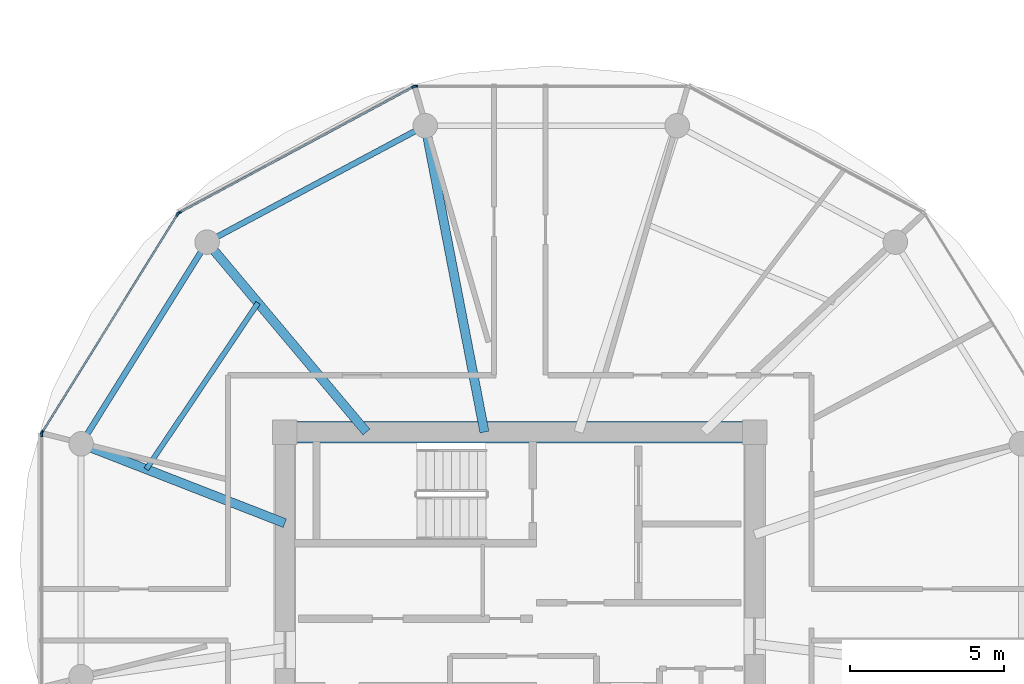
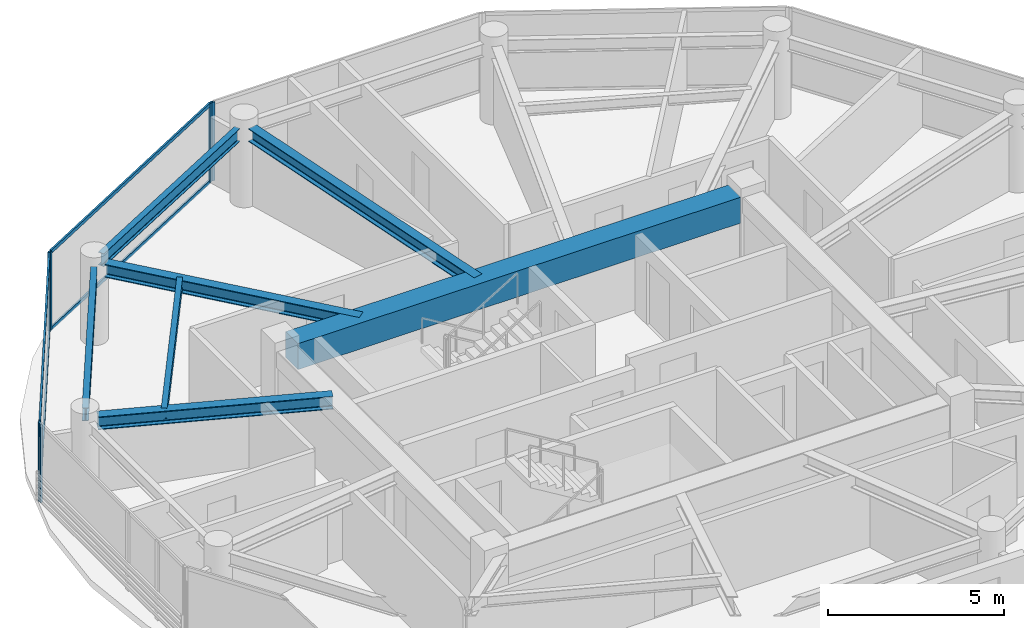
# One storey, part 4 of 22: 10 members, 7 beams, 4 elements without a shape of their own.
"""IFC4 building model written with IfcOpenShell, lengths in metres."""

from ifc_helpers import new_model, si_unit, direction, frame, origin, origin_2d, place, context, subcontext, project, spatial, rectangle, i_section, extrude, source, transform, mapped, material, layer, layer_set, material_profile, profile_set, type_object, type_shapes, element, aggregate, save


model = new_model("IFC4")

# Units and contexts
model_context = context("Model", 3, precision=1e-05, world=origin(), true_north=direction((0.0, 1.0)))
body_context = subcontext(model_context, "Body", "Model", "MODEL_VIEW")
ifc_project = project(units=[si_unit("LENGTHUNIT", "METRE"), si_unit("AREAUNIT", "SQUARE_METRE"), si_unit("VOLUMEUNIT", "CUBIC_METRE"), si_unit("PLANEANGLEUNIT", "RADIAN"), si_unit("MASSUNIT", "GRAM", prefix="KILO")], contexts=[model_context])

# Site, building, storey
site_placement = place(None, origin())
site = spatial("IfcSite", under=ifc_project, at=site_placement, CompositionType="ELEMENT")
building_placement = place(site_placement, origin())
building = spatial("IfcBuilding", under=site, at=building_placement, Name="Norrkilde Senior Care Towers", CompositionType="ELEMENT")
storey_placement = place(building_placement, frame((0.0, 0.0, 183.10009765625)))
storey = spatial("IfcBuildingStorey", under=building, at=storey_placement, Name="L57", CompositionType="ELEMENT", Elevation=183.10009765625)

# Beams
ifc_material_1 = material(Name="Concrete C60/75", Category="concrete")
ifc_material_profile_1 = material_profile(ifc_material_1, rectangle(XDim=0.699951171875, YDim=0.89990234375, at=origin_2d()), Name="RC BM 700x900")
ifc_profile_set_1 = profile_set([ifc_material_profile_1], Name="Concrete C60/75")
beam_type_1 = type_object("IfcBeamType", Name="Core Coupling Girder 700x900", PredefinedType="USERDEFINED", material=ifc_profile_set_1)
shared_shape_1 = source(origin(), body_context, "Body", "SweptSolid", [
    extrude(rectangle(XDim=0.699951171875, YDim=0.89990234375, at=origin_2d()), origin(), (0.0, 0.0, 1.0), 14.5400390625),
])
type_shapes(beam_type_1, [shared_shape_1])
beam_1_placement = place(storey_placement, frame((-35.27001953125, 5.949951171875, 2.27978515625), z_axis=(1.0, 0.0, 0.0), x_axis=(0.0, 1.0, 0.0)))
element("IfcBeam", 1, at=beam_1_placement, inside=storey, type_object=beam_type_1, Name="L57 Core W N Coupling Girder", ObjectType="GIRDER", PredefinedType="USERDEFINED", context=body_context, shape_type="MappedRepresentation", body=[
    mapped(shared_shape_1, transform((0.0, 0.0, 0.0), x_axis=(1.0, 0.0, 0.0), y_axis=(0.0, 1.0, 0.0), z_axis=(0.0, 0.0, 1.0), scale=1.0)),
])
ifc_material_2 = material(Name="Steel S355", Category="steel")
ifc_material_profile_2 = material_profile(ifc_material_2, i_section(OverallWidth=0.18994140625, OverallDepth=0.449951171875, WebThickness=0.009521484375, FlangeThickness=0.0146484375, FilletRadius=0.02099609375, at=origin_2d()), Name="IPE 450")
ifc_profile_set_2 = profile_set([ifc_material_profile_2], Name="Steel S355")
beam_type_2 = type_object("IfcBeamType", Name="Perimeter Ring Spandrel Z3 IPE450", PredefinedType="SPANDREL", material=ifc_profile_set_2)
shared_shape_2 = source(origin(), body_context, "Body", "SweptSolid", [
    extrude(i_section(OverallWidth=0.18994140625, OverallDepth=0.449951171875, WebThickness=0.009521484375, FlangeThickness=0.0146484375, FilletRadius=0.02099609375, at=origin_2d()), origin(), (0.0, 0.0, 1.0), 7.0234375),
])
beam_2_placement = place(storey_placement, frame((-38.373291015625, 11.8291015625, 2.5048828125), z_axis=(-0.529789577822, -0.848129119433, 0.0), x_axis=(0.848129119433, -0.529789577822, 0.0)))
element("IfcBeam", 2, at=beam_2_placement, inside=storey, type_object=beam_type_2, Name="L57 Drum W Perimeter Spandrel 05", PredefinedType="SPANDREL", context=body_context, shape_type="MappedRepresentation", body=[
    mapped(shared_shape_2, transform((0.0, 0.0, 0.0), x_axis=(1.0, 0.0, 0.0), y_axis=(0.0, 1.0, 0.0), z_axis=(0.0, 0.0, 1.0), scale=1.0)),
])
shared_shape_3 = source(origin(), body_context, "Body", "SweptSolid", [
    extrude(i_section(OverallWidth=0.18994140625, OverallDepth=0.449951171875, WebThickness=0.009521484375, FlangeThickness=0.0146484375, FilletRadius=0.02099609375, at=origin_2d()), origin(), (0.0, 0.0, 1.0), 7.333740234375),
])
type_shapes(beam_type_2, [shared_shape_2, shared_shape_3])
beam_3_placement = place(storey_placement, frame((-31.394775390625, 15.756591796875, 2.5048828125), z_axis=(-0.882247866069, -0.470785198172, 0.0), x_axis=(0.470785198172, -0.882247866069, 0.0)))
element("IfcBeam", 3, at=beam_3_placement, inside=storey, type_object=beam_type_2, Name="L57 Drum W Perimeter Spandrel 04", PredefinedType="SPANDREL", context=body_context, shape_type="MappedRepresentation", body=[
    mapped(shared_shape_3, transform((0.0, 0.0, 0.0), x_axis=(1.0, 0.0, 0.0), y_axis=(0.0, 1.0, 0.0), z_axis=(0.0, 0.0, 1.0), scale=1.0)),
])
ifc_material_profile_3 = material_profile(ifc_material_2, i_section(OverallWidth=0.300048828125, OverallDepth=0.449951171875, WebThickness=0.013916015625, FlangeThickness=0.02587890625, FilletRadius=0.027099609375, at=origin_2d()), Name="HEB 450")
ifc_profile_set_3 = profile_set([ifc_material_profile_3], Name="Steel S355")
beam_type_3 = type_object("IfcBeamType", Name="Radial Floor Beam Z3 HEB450", PredefinedType="BEAM", material=ifc_profile_set_3)
shared_shape_4 = source(origin(), body_context, "Body", "SweptSolid", [
    extrude(i_section(OverallWidth=0.300048828125, OverallDepth=0.449951171875, WebThickness=0.013916015625, FlangeThickness=0.02587890625, FilletRadius=0.027099609375, at=origin_2d()), origin(), (0.0, 0.0, 1.0), 9.80078125),
])
beam_4_placement = place(storey_placement, frame((-29.149658203125, 5.949951171875, 2.5048828125), z_axis=(-0.189716727661, 0.98183886827, 0.0), x_axis=(-0.98183886827, -0.189716727661, 0.0)))
element("IfcBeam", 4, at=beam_4_placement, inside=storey, type_object=beam_type_3, Name="L57 Drum W Radial Floor Beam 04", PredefinedType="BEAM", context=body_context, shape_type="MappedRepresentation", body=[
    mapped(shared_shape_4, transform((0.0, 0.0, 0.0), x_axis=(1.0, 0.0, 0.0), y_axis=(0.0, 1.0, 0.0), z_axis=(0.0, 0.0, 1.0), scale=1.0)),
])
shared_shape_5 = source(origin(), body_context, "Body", "SweptSolid", [
    extrude(i_section(OverallWidth=0.300048828125, OverallDepth=0.449951171875, WebThickness=0.013916015625, FlangeThickness=0.02587890625, FilletRadius=0.027099609375, at=origin_2d()), origin(), (0.0, 0.0, 1.0), 7.71337890625),
])
beam_5_placement = place(storey_placement, frame((-32.992919921875, 5.949951171875, 2.5048828125), z_axis=(-0.642808239864, 0.766027131872, 0.0), x_axis=(-0.766027131872, -0.642808239864, 0.0)))
element("IfcBeam", 5, at=beam_5_placement, inside=storey, type_object=beam_type_3, Name="L57 Drum W Radial Floor Beam 05", PredefinedType="BEAM", context=body_context, shape_type="MappedRepresentation", body=[
    mapped(shared_shape_5, transform((0.0, 0.0, 0.0), x_axis=(1.0, 0.0, 0.0), y_axis=(0.0, 1.0, 0.0), z_axis=(0.0, 0.0, 1.0), scale=1.0)),
])
shared_shape_6 = source(origin(), body_context, "Body", "SweptSolid", [
    extrude(i_section(OverallWidth=0.300048828125, OverallDepth=0.449951171875, WebThickness=0.013916015625, FlangeThickness=0.02587890625, FilletRadius=0.027099609375, at=origin_2d()), origin(), (0.0, 0.0, 1.0), 6.760986328125),
])
type_shapes(beam_type_3, [shared_shape_4, shared_shape_5, shared_shape_6])
beam_6_placement = place(storey_placement, frame((-35.64990234375, 2.981201171875, 2.5048828125), z_axis=(-0.931742171387, 0.363120539297, 0.0), x_axis=(-0.363120539297, -0.931742171387, 0.0)))
element("IfcBeam", 6, at=beam_6_placement, inside=storey, type_object=beam_type_3, Name="L57 Drum W Radial Floor Beam 06", PredefinedType="BEAM", context=body_context, shape_type="MappedRepresentation", body=[
    mapped(shared_shape_6, transform((0.0, 0.0, 0.0), x_axis=(1.0, 0.0, 0.0), y_axis=(0.0, 1.0, 0.0), z_axis=(0.0, 0.0, 1.0), scale=1.0)),
])
ifc_material_profile_4 = material_profile(ifc_material_2, i_section(OverallWidth=0.169921875, OverallDepth=0.360107421875, WebThickness=0.008056640625, FlangeThickness=0.0126953125, FilletRadius=0.01806640625, at=origin_2d()), Name="IPE 360")
ifc_profile_set_4 = profile_set([ifc_material_profile_4], Name="Steel S355")
beam_type_4 = type_object("IfcBeamType", Name="Secondary Floor Joist IPE360", PredefinedType="JOIST", material=ifc_profile_set_4)
shared_shape_7 = source(origin(), body_context, "Body", "SweptSolid", [
    extrude(i_section(OverallWidth=0.169921875, OverallDepth=0.360107421875, WebThickness=0.008056640625, FlangeThickness=0.0126953125, FilletRadius=0.01806640625, at=origin_2d()), origin(), (0.0, 0.0, 1.0), 6.525390625),
])
type_shapes(beam_type_4, [shared_shape_7])
beam_7_placement = place(storey_placement, frame((-36.52197265625, 10.155517578125, 2.5498046875), z_axis=(-0.55779590102, -0.829978152005, 0.0), x_axis=(0.829978152005, -0.55779590102, 0.0)))
element("IfcBeam", 7, at=beam_7_placement, inside=storey, type_object=beam_type_4, Name="L57 Drum W Secondary Floor Joist 2", PredefinedType="JOIST", context=body_context, shape_type="MappedRepresentation", body=[
    mapped(shared_shape_7, transform((0.0, 0.0, 0.0), x_axis=(1.0, 0.0, 0.0), y_axis=(0.0, 1.0, 0.0), z_axis=(0.0, 0.0, 1.0), scale=1.0)),
])

# Curtain wall, members
ifc_material_3 = material(Name="Triple Low-E Insulated Glazing", Category="glass")
ifc_layer = layer(ifc_material_3, 0.18994140625)
ifc_layer_set = layer_set([ifc_layer], Name="Triple Low-E Insulated Glazing")
curtain_wall_type = type_object("IfcCurtainWallType", Name="CW4 Zone 3 Senior Residence Curtain Wall", PredefinedType="NOTDEFINED", material=ifc_layer_set)
curtain_wall_1_placement = place(storey_placement, origin())
curtain_wall_1 = element("IfcCurtainWall", 8, at=curtain_wall_1_placement, inside=storey, type_object=curtain_wall_type, Name="L57 Drum W Curtain Wall 04", PredefinedType="NOTDEFINED")
ifc_material_4 = material(Name="Anodised Aluminium", Category="aluminium")
ifc_material_profile_5 = material_profile(ifc_material_4, rectangle(XDim=0.06005859375, YDim=0.1201171875, at=origin_2d()), Name="ALU TRAN 60x120")
ifc_profile_set_5 = profile_set([ifc_material_profile_5], Name="Anodised Aluminium")
member_type_1 = type_object("IfcMemberType", Name="Curtain Wall Transom Typical 60x120", PredefinedType="USERDEFINED", material=ifc_profile_set_5)
shared_shape_8 = source(origin(), body_context, "Body", "SweptSolid", [
    extrude(rectangle(XDim=0.06005859375, YDim=0.1201171875, at=origin_2d()), origin(), (0.0, 0.0, 1.0), 8.301513671875),
])
member_1_placement = place(storey_placement, frame((-43.535400390625, 5.966552734375, 0.02978515625), z_axis=(0.527368718394, 0.849636531029, 0.0), x_axis=(-0.849636531029, 0.527368718394, 0.0)))
member_1 = element("IfcMember", 9, at=member_1_placement, type_object=member_type_1, Name="CW-4 transom 1.1", ObjectType="TRANSOM", PredefinedType="USERDEFINED", context=body_context, shape_type="MappedRepresentation", body=[
    mapped(shared_shape_8, transform((0.0, 0.0, 0.0), x_axis=(1.0, 0.0, 0.0), y_axis=(0.0, 1.0, 0.0), z_axis=(0.0, 0.0, 1.0), scale=1.0)),
])
member_2_placement = place(storey_placement, frame((-43.535400390625, 5.966552734375, 2.699951171875), z_axis=(0.527368718394, 0.849636531029, 0.0), x_axis=(-0.849636531029, 0.527368718394, 0.0)))
member_2 = element("IfcMember", 10, at=member_2_placement, type_object=member_type_1, Name="CW-4 transom 1.2", ObjectType="TRANSOM", PredefinedType="USERDEFINED", context=body_context, shape_type="MappedRepresentation", body=[
    mapped(shared_shape_8, transform((0.0, 0.0, 0.0), x_axis=(1.0, 0.0, 0.0), y_axis=(0.0, 1.0, 0.0), z_axis=(0.0, 0.0, 1.0), scale=1.0)),
])

curtain_wall_2_placement = place(storey_placement, origin())
curtain_wall_2 = element("IfcCurtainWall", 11, at=curtain_wall_2_placement, inside=storey, type_object=curtain_wall_type, Name="L57 Drum W Curtain Wall 03", PredefinedType="NOTDEFINED")
shared_shape_9 = source(origin(), body_context, "Body", "SweptSolid", [
    extrude(rectangle(XDim=0.06005859375, YDim=0.1201171875, at=origin_2d()), origin(), (0.0, 0.0, 1.0), 8.612060546875),
])
type_shapes(member_type_1, [shared_shape_8, shared_shape_9])
member_3_placement = place(storey_placement, frame((-39.06591796875, 13.105712890625, 0.02978515625), z_axis=(0.881000337462, 0.473115636384, 0.0), x_axis=(-0.473115636384, 0.881000337462, 0.0)))
member_3 = element("IfcMember", 12, at=member_3_placement, type_object=member_type_1, Name="CW-4 transom 1.1", ObjectType="TRANSOM", PredefinedType="USERDEFINED", context=body_context, shape_type="MappedRepresentation", body=[
    mapped(shared_shape_9, transform((0.0, 0.0, 0.0), x_axis=(1.0, 0.0, 0.0), y_axis=(0.0, 1.0, 0.0), z_axis=(0.0, 0.0, 1.0), scale=1.0)),
])
member_4_placement = place(storey_placement, frame((-39.06591796875, 13.105712890625, 2.699951171875), z_axis=(0.881000337462, 0.473115636384, 0.0), x_axis=(-0.473115636384, 0.881000337462, 0.0)))
member_4 = element("IfcMember", 13, at=member_4_placement, type_object=member_type_1, Name="CW-4 transom 1.2", ObjectType="TRANSOM", PredefinedType="USERDEFINED", context=body_context, shape_type="MappedRepresentation", body=[
    mapped(shared_shape_9, transform((0.0, 0.0, 0.0), x_axis=(1.0, 0.0, 0.0), y_axis=(0.0, 1.0, 0.0), z_axis=(0.0, 0.0, 1.0), scale=1.0)),
])

# Curtain wall, member
curtain_wall_3_placement = place(storey_placement, origin())
curtain_wall_3 = element("IfcCurtainWall", 14, at=curtain_wall_3_placement, inside=storey, type_object=curtain_wall_type, Name="L57 Drum W Curtain Wall 02", PredefinedType="NOTDEFINED")
ifc_material_profile_6 = material_profile(ifc_material_4, rectangle(XDim=0.06494140625, YDim=0.14990234375, at=origin_2d()), Name="ALU MULL 65x150")
ifc_profile_set_6 = profile_set([ifc_material_profile_6], Name="Anodised Aluminium")
member_type_2 = type_object("IfcMemberType", Name="Curtain Wall Mullion Z3-Z4 65x150", PredefinedType="MULLION", material=ifc_profile_set_6)
shared_shape_10 = source(origin(), body_context, "Body", "SweptSolid", [
    extrude(rectangle(XDim=0.06494140625, YDim=0.14990234375, at=origin_2d()), origin(), (0.0, 0.0, 1.0), 2.72998046875),
])
type_shapes(member_type_2, [shared_shape_10])
member_5_placement = place(storey_placement, frame((-31.388916015625, 17.2109375, 0.0), z_axis=(0.0, 0.0, 1.0), x_axis=(0.0, 1.0, 0.0)))
member_5 = element("IfcMember", 15, at=member_5_placement, type_object=member_type_2, Name="CW-4 mullion 1", PredefinedType="MULLION", context=body_context, shape_type="MappedRepresentation", body=[
    mapped(shared_shape_10, transform((0.0, 0.0, 0.0), x_axis=(1.0, 0.0, 0.0), y_axis=(0.0, 1.0, 0.0), z_axis=(0.0, 0.0, 1.0), scale=1.0)),
])
aggregate(curtain_wall_3, [member_5])

# Member
member_6_placement = place(storey_placement, frame((-39.094482421875, 13.09033203125, 0.0), z_axis=(0.0, 0.0, 1.0), x_axis=(-0.47311715104, 0.880999524059, 0.0)))
member_6 = element("IfcMember", 16, at=member_6_placement, type_object=member_type_2, Name="CW-4 mullion 1", PredefinedType="MULLION", context=body_context, shape_type="MappedRepresentation", body=[
    mapped(shared_shape_10, transform((0.0, 0.0, 0.0), x_axis=(1.0, 0.0, 0.0), y_axis=(0.0, 1.0, 0.0), z_axis=(0.0, 0.0, 1.0), scale=1.0)),
])

member_7_placement = place(storey_placement, frame((-31.4501953125, 17.195556640625, 0.0), z_axis=(0.0, 0.0, 1.0), x_axis=(-0.47311715104, 0.880999524059, 0.0)))
member_7 = element("IfcMember", 17, at=member_7_placement, type_object=member_type_2, Name="CW-4 mullion 2", PredefinedType="MULLION", context=body_context, shape_type="MappedRepresentation", body=[
    mapped(shared_shape_10, transform((0.0, 0.0, 0.0), x_axis=(1.0, 0.0, 0.0), y_axis=(0.0, 1.0, 0.0), z_axis=(0.0, 0.0, 1.0), scale=1.0)),
])

aggregate(curtain_wall_2, [member_6, member_7, member_3, member_4])

member_8_placement = place(storey_placement, frame((-43.552490234375, 5.93896484375, 0.0), z_axis=(0.0, 0.0, 1.0), x_axis=(-0.84963405474, 0.52737270789, 0.0)))
member_8 = element("IfcMember", 18, at=member_8_placement, type_object=member_type_2, Name="CW-4 mullion 1", PredefinedType="MULLION", context=body_context, shape_type="MappedRepresentation", body=[
    mapped(shared_shape_10, transform((0.0, 0.0, 0.0), x_axis=(1.0, 0.0, 0.0), y_axis=(0.0, 1.0, 0.0), z_axis=(0.0, 0.0, 1.0), scale=1.0)),
])

member_9_placement = place(storey_placement, frame((-39.14013671875, 13.04736328125, 0.0), z_axis=(0.0, 0.0, 1.0), x_axis=(-0.84963405474, 0.52737270789, 0.0)))
member_9 = element("IfcMember", 19, at=member_9_placement, type_object=member_type_2, Name="CW-4 mullion 2", PredefinedType="MULLION", context=body_context, shape_type="MappedRepresentation", body=[
    mapped(shared_shape_10, transform((0.0, 0.0, 0.0), x_axis=(1.0, 0.0, 0.0), y_axis=(0.0, 1.0, 0.0), z_axis=(0.0, 0.0, 1.0), scale=1.0)),
])

aggregate(curtain_wall_1, [member_8, member_9, member_1, member_2])

# Curtain wall, member
curtain_wall_4_placement = place(storey_placement, origin())
curtain_wall_4 = element("IfcCurtainWall", 20, at=curtain_wall_4_placement, inside=storey, type_object=curtain_wall_type, Name="L57 Drum W Curtain Wall 05", PredefinedType="NOTDEFINED")
member_10_placement = place(storey_placement, frame((-43.569580078125, 5.878662109375, 0.0), z_axis=(0.0, 0.0, 1.0), x_axis=(-1.0, 0.0, 0.0)))
member_10 = element("IfcMember", 21, at=member_10_placement, type_object=member_type_2, Name="CW-4 mullion 2", PredefinedType="MULLION", context=body_context, shape_type="MappedRepresentation", body=[
    mapped(shared_shape_10, transform((0.0, 0.0, 0.0), x_axis=(1.0, 0.0, 0.0), y_axis=(0.0, 1.0, 0.0), z_axis=(0.0, 0.0, 1.0), scale=1.0)),
])
aggregate(curtain_wall_4, [member_10])

save(model, "model.ifc")
